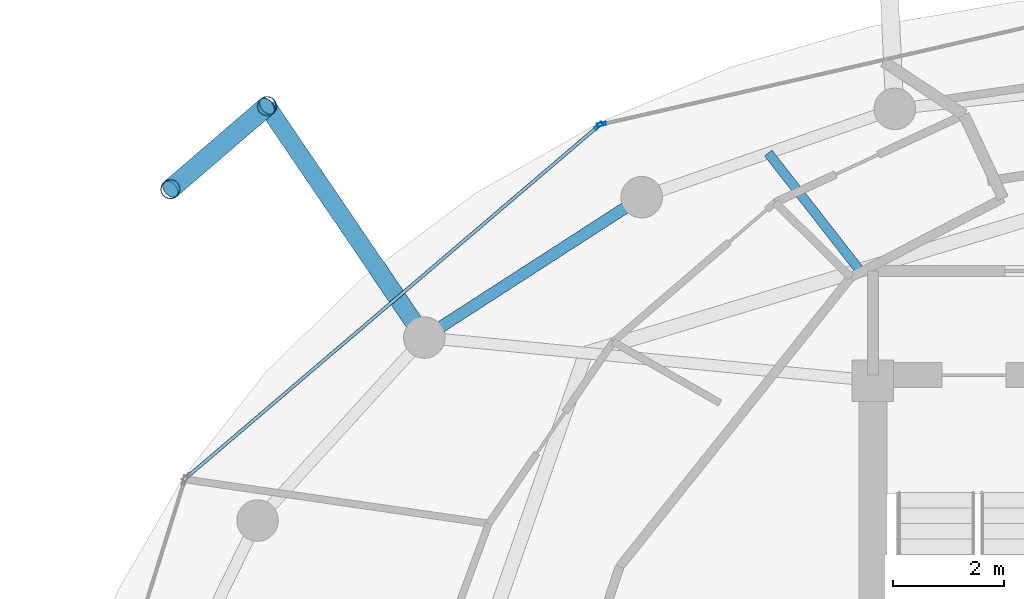
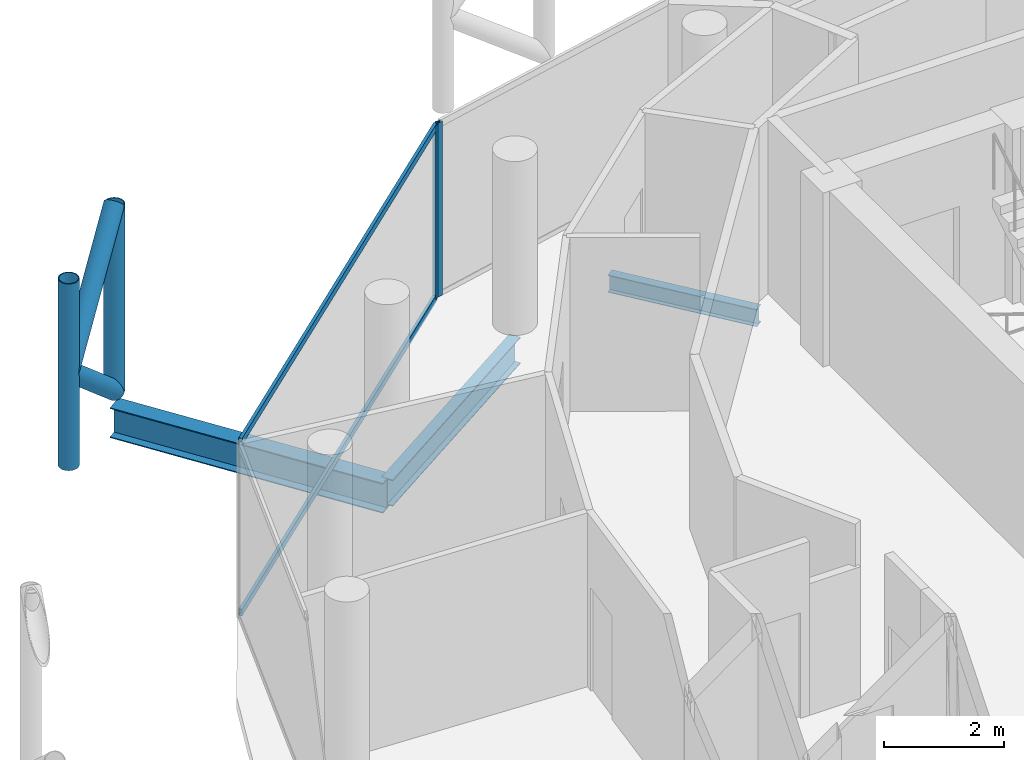
# One storey, part 15 of 24: 8 members, 3 beams, 2 elements without a shape of their own.
"""IFC4 building model written with IfcOpenShell, lengths in metres."""

import ifcopenshell
import ifcopenshell.guid

model = None  # the IFC model being written
_history = None  # IfcOwnerHistory: only IFC2X3 demands one
_inside = {}  # id of a spatial element -> (the spatial element, [elements in it])
_under = {}  # id of a project, library or spatial element -> (it, [spatial elements below it])
_declared = {}  # id of a project -> (the project, [libraries it declares])
_typed = {}  # id of a type object -> (the type object, [elements of that type])
_made_of = {}  # id of a material, layer set ... -> (it, [elements and type objects made of it])


def new_model(schema):
    """Start an empty IFC model of exactly this schema.

    Asked for "IFC4X3", IfcOpenShell would pick the latest addendum, in which some entities
    have other attributes; the version numbers below select the first issue.
    IFC2X3 requires an IfcOwnerHistory on every rooted entity: one is made here for all.
    """
    global model, _history
    if schema == "IFC4X3":
        model = ifcopenshell.file(schema_version=(4, 3, 0, 0))
    else:
        model = ifcopenshell.file(schema=schema)
    _inside.clear()
    _under.clear()
    _declared.clear()
    _typed.clear()
    _made_of.clear()
    _history = None
    if model.schema == "IFC2X3":
        org = make("IfcOrganization", Name="unknown")
        user = make(
            "IfcPersonAndOrganization",
            ThePerson=make("IfcPerson", FamilyName="unknown"),
            TheOrganization=org,
        )
        app = make(
            "IfcApplication",
            ApplicationDeveloper=org,
            Version="unknown",
            ApplicationFullName="unknown",
            ApplicationIdentifier="unknown",
        )
        _history = make(
            "IfcOwnerHistory",
            OwningUser=user,
            OwningApplication=app,
            ChangeAction="ADDED",
            CreationDate=0,
        )
    return model


def make(cls, **values):
    """One entity of the class cls with the attributes given. An attribute that is None is left unset."""
    return model.create_entity(
        cls, **{name: value for name, value in values.items() if value is not None}
    )


def rooted(cls, **values):
    """An entity with a GlobalId (a new one), such as an element, a storey or a relation."""
    return make(cls, GlobalId=ifcopenshell.guid.new(), OwnerHistory=_history, **values)


def si_unit(unit_type, name, prefix=None):
    """IfcSIUnit, for example si_unit("LENGTHUNIT", "METRE", prefix="MILLI")."""
    return make("IfcSIUnit", UnitType=unit_type, Prefix=prefix, Name=name)


def assignment(units):
    """IfcUnitAssignment: the units of a project."""
    return None if units is None else make("IfcUnitAssignment", Units=units)


def point(xyz):
    """IfcCartesianPoint."""
    return None if xyz is None else make("IfcCartesianPoint", Coordinates=xyz)


def direction(xyz):
    """IfcDirection."""
    return None if xyz is None else make("IfcDirection", DirectionRatios=xyz)


def frame(location, z_axis=None, x_axis=None):
    """IfcAxis2Placement3D, a coordinate frame: its origin and axes. An axis left out is left unset."""
    return make(
        "IfcAxis2Placement3D",
        Location=point(location),
        Axis=direction(z_axis),
        RefDirection=direction(x_axis),
    )


def frame_2d(location, x_axis=None):
    """IfcAxis2Placement2D, a coordinate frame in the plane: its origin and x axis."""
    return make(
        "IfcAxis2Placement2D", Location=point(location), RefDirection=direction(x_axis)
    )


def origin():
    """The frame at (0, 0, 0) with its axes left unset."""
    return frame((0.0, 0.0, 0.0))


def origin_2d():
    """The frame at (0, 0) in the plane with its x axis left unset."""
    return frame_2d((0.0, 0.0))


def place(relative_to, where):
    """IfcLocalPlacement: puts the frame where relative to a parent placement (None: the world)."""
    return make(
        "IfcLocalPlacement", PlacementRelTo=relative_to, RelativePlacement=where
    )


def context(
    kind, dimensions, precision=None, world=None, true_north=None, identifier=None
):
    """IfcGeometricRepresentationContext, for example the 3D "Model" context."""
    return make(
        "IfcGeometricRepresentationContext",
        ContextIdentifier=identifier,
        ContextType=kind,
        CoordinateSpaceDimension=dimensions,
        Precision=precision,
        WorldCoordinateSystem=world,
        TrueNorth=true_north,
    )


def subcontext(parent, identifier, kind, view, scale=None):
    """IfcGeometricRepresentationSubContext, for example "Body" below "Model"."""
    return make(
        "IfcGeometricRepresentationSubContext",
        ContextIdentifier=identifier,
        ContextType=kind,
        ParentContext=parent,
        TargetScale=scale,
        TargetView=view,
    )


def project(units=None, contexts=None):
    """IfcProject with its units and contexts."""
    return rooted(
        "IfcProject",
        Name="project",
        RepresentationContexts=contexts,
        UnitsInContext=assignment(units),
    )


def spatial(cls, under=None, at=None, **own):
    """A site, building, storey or space (cls), placed at a placement, below another one or the project."""
    s = rooted(cls, ObjectPlacement=at, **own)
    if under is not None:
        _under.setdefault(under.id(), (under, []))[1].append(s)
    return s


def profile(cls, at=None, kind="AREA", **sizes):
    """A parametric profile (cls). Its sizes go by their IFC names, for example OverallWidth=200.0."""
    return make(cls, ProfileType=kind, Position=at, **sizes)


def hollow_rectangle(**sizes):
    """IfcRectangleHollowProfileDef."""
    return profile("IfcRectangleHollowProfileDef", **sizes)


def hollow_circle(**sizes):
    """IfcCircleHollowProfileDef."""
    return profile("IfcCircleHollowProfileDef", **sizes)


def i_section(**sizes):
    """IfcIShapeProfileDef."""
    return profile("IfcIShapeProfileDef", **sizes)


def extrude(swept, where, along, depth):
    """IfcExtrudedAreaSolid: the profile swept, set in the frame where, extruded along a direction by depth."""
    return make(
        "IfcExtrudedAreaSolid",
        SweptArea=swept,
        Position=where,
        ExtrudedDirection=direction(along),
        Depth=depth,
    )


def shape(context_of_items, identifier, shape_type, items):
    """IfcShapeRepresentation: the items that make up one representation, for example the "Body"."""
    return make(
        "IfcShapeRepresentation",
        ContextOfItems=context_of_items,
        RepresentationIdentifier=identifier,
        RepresentationType=shape_type,
        Items=items,
    )


def material(Name=None, Category=None):
    """IfcMaterial."""
    return make("IfcMaterial", Name=Name, Category=Category)


def layer(
    of_material, thickness, ventilated=None, Name=None, Category=None, Priority=None
):
    """IfcMaterialLayer: one layer of a wall or slab, of a material (None: an air gap)."""
    return make(
        "IfcMaterialLayer",
        Material=of_material,
        LayerThickness=thickness,
        IsVentilated=ventilated,
        Name=Name,
        Category=Category,
        Priority=Priority,
    )


def layer_set(layers, Name=None):
    """IfcMaterialLayerSet."""
    return make("IfcMaterialLayerSet", MaterialLayers=layers, LayerSetName=Name)


def material_profile(
    of_material, cross_section, Name=None, Category=None, Priority=None
):
    """IfcMaterialProfile: a cross section and its material."""
    return make(
        "IfcMaterialProfile",
        Name=Name,
        Material=of_material,
        Profile=cross_section,
        Priority=Priority,
        Category=Category,
    )


def profile_set(profiles, Name=None, composite=None):
    """IfcMaterialProfileSet."""
    return make(
        "IfcMaterialProfileSet",
        Name=Name,
        MaterialProfiles=profiles,
        CompositeProfile=composite,
    )


def made_of(thing, what):
    """Note that an element or type object is made of a material, layer set ...; save() writes the relation."""
    if what is not None:
        _made_of.setdefault(what.id(), (what, []))[1].append(thing)
    return thing


def type_object(cls, material=None, **own):
    """A type object (cls), such as IfcWallType, which elements share."""
    return made_of(rooted(cls, **own), material)


def element(
    cls,
    number,
    at=None,
    inside=None,
    cuts=None,
    type_object=None,
    material=None,
    context=None,
    identifier="Body",
    shape_type=None,
    held_by="IfcProductDefinitionShape",
    body=None,
    shapes=None,
    **own,
):
    """One element of the class cls, such as IfcWall. Its Tag is "e" and its number.

    at: its placement. inside: the storey or other place that contains it. cuts: it is an
    opening in that element (IfcRelVoidsElement). A single representation is given by context,
    identifier, shape_type and body (its items); several are given by shapes. held_by: the class
    of the entity that holds the representations. save() writes the other relations.
    """
    e = rooted(cls, Tag="e%d" % number, ObjectPlacement=at, **own)
    if body is not None:
        shapes = [shape(context, identifier, shape_type, body)]
    if shapes is not None:
        e.Representation = make(held_by, Representations=shapes)
    if inside is not None:
        _inside.setdefault(inside.id(), (inside, []))[1].append(e)
    if cuts is not None:
        rooted(
            "IfcRelVoidsElement", RelatingBuildingElement=cuts, RelatedOpeningElement=e
        )
    if type_object is not None:
        _typed.setdefault(type_object.id(), (type_object, []))[1].append(e)
    return made_of(e, material)


def aggregate(whole, parts):
    """IfcRelAggregates: a whole, such as a stair, and the parts it consists of."""
    return rooted("IfcRelAggregates", RelatingObject=whole, RelatedObjects=parts)


def save(model, path):
    """Write the relations noted so far, then the file.

    IfcRelAggregates (storeys below a building ...), IfcRelContainedInSpatialStructure (elements
    in a storey), IfcRelDefinesByType, IfcRelAssociatesMaterial and IfcRelDeclares: one each for
    every whole, place, type object, material and project.
    """
    for whole, parts in _under.values():
        aggregate(whole, parts)
    for where, things in _inside.values():
        rooted(
            "IfcRelContainedInSpatialStructure",
            RelatedElements=things,
            RelatingStructure=where,
        )
    for kind, things in _typed.values():
        rooted("IfcRelDefinesByType", RelatedObjects=things, RelatingType=kind)
    for what, things in _made_of.values():
        rooted("IfcRelAssociatesMaterial", RelatedObjects=things, RelatingMaterial=what)
    for by, libraries in _declared.values():
        rooted("IfcRelDeclares", RelatingContext=by, RelatedDefinitions=libraries)
    model.write(path)


model = new_model("IFC4")

# Units and contexts
model_context = context("Model", 3, precision=1e-05, world=origin(), true_north=direction((0.0, 1.0)))
body_context = subcontext(model_context, "Body", "Model", "MODEL_VIEW")
ifc_project = project(units=[si_unit("LENGTHUNIT", "METRE"), si_unit("AREAUNIT", "SQUARE_METRE"), si_unit("VOLUMEUNIT", "CUBIC_METRE"), si_unit("PLANEANGLEUNIT", "RADIAN"), si_unit("MASSUNIT", "GRAM", prefix="KILO")], contexts=[model_context])

# Site, building, storey
site_placement = place(None, origin())
site = spatial("IfcSite", under=ifc_project, at=site_placement, CompositionType="ELEMENT")
building_placement = place(site_placement, origin())
building = spatial("IfcBuilding", under=site, at=building_placement, Name="Nuhasar Tower", CompositionType="ELEMENT")
storey_placement = place(building_placement, frame((0.0, 0.0, 259.39990234375)))
storey = spatial("IfcBuildingStorey", under=building, at=storey_placement, Name="L64", CompositionType="ELEMENT", Elevation=259.39990234375)

# Beams
ifc_material_1 = material(Name="Steel S355", Category="steel")
ifc_material_profile_1 = material_profile(ifc_material_1, i_section(OverallWidth=0.1708984375, OverallDepth=0.35205078125, WebThickness=0.0068359375, FlangeThickness=0.009765625, at=origin_2d()), Name="W14X30")
ifc_profile_set_1 = profile_set([ifc_material_profile_1], Name="Steel S355")
beam_type_1 = type_object("IfcBeamType", Name="BM-JST-W14X30", PredefinedType="JOIST", material=ifc_profile_set_1)
beam_1_placement = place(storey_placement, frame((33.4609375, 39.29296875, -0.435791015625), z_axis=(-0.614953767351, 0.788563164256, 0.0), x_axis=(-0.788563164256, -0.614953767351, 0.0)))
element("IfcBeam", 1, at=beam_1_placement, inside=storey, type_object=beam_type_1, Name="L64 Secondary Floor Joist 06", PredefinedType="JOIST", context=body_context, shape_type="SweptSolid", body=[
    extrude(i_section(OverallWidth=0.1708984375, OverallDepth=0.35205078125, WebThickness=0.0068359375, FlangeThickness=0.009765625, at=origin_2d()), origin(), (0.0, 0.0, 1.0), 2.6845703125),
])
ifc_material_profile_2 = material_profile(ifc_material_1, i_section(OverallWidth=0.2099609375, OverallDepth=0.537109375, WebThickness=0.010986328125, FlangeThickness=0.017333984375, at=origin_2d()), Name="W21X68")
ifc_profile_set_2 = profile_set([ifc_material_profile_2], Name="Steel S355")
beam_type_2 = type_object("IfcBeamType", Name="BM-RING-W21X68", PredefinedType="SPANDREL", material=ifc_profile_set_2)
beam_2_placement = place(storey_placement, frame((29.52490234375, 40.613037109375, -0.52880859375), z_axis=(-0.840001671147, -0.54258381147, 0.0), x_axis=(0.54258381147, -0.840001671147, 0.0)))
element("IfcBeam", 2, at=beam_2_placement, inside=storey, type_object=beam_type_2, Name="L64 Perimeter Ring Spandrel 09", PredefinedType="SPANDREL", context=body_context, shape_type="SweptSolid", body=[
    extrude(i_section(OverallWidth=0.2099609375, OverallDepth=0.537109375, WebThickness=0.010986328125, FlangeThickness=0.017333984375, at=origin_2d()), origin(), (0.0, 0.0, 1.0), 4.67236328125),
])
ifc_material_profile_3 = material_profile(ifc_material_1, i_section(OverallWidth=0.323974609375, OverallDepth=0.611083984375, WebThickness=0.0126953125, FlangeThickness=0.01904296875, at=origin_2d()), Name="W24X104")
ifc_profile_set_3 = profile_set([ifc_material_profile_3], Name="Steel S355")
beam_type_3 = type_object("IfcBeamType", Name="BM-TIE-W24X104", PredefinedType="BEAM", material=ifc_profile_set_3)
beam_3_placement = place(storey_placement, frame((25.60009765625, 38.077880859375, -0.56591796875), z_axis=(-0.562070792096, 0.827089127405, 0.0), x_axis=(-0.827089127405, -0.562070792096, 0.0)))
element("IfcBeam", 3, at=beam_3_placement, inside=storey, type_object=beam_type_3, Name="L64 Exoskeleton Node Tie Beam 05", PredefinedType="BEAM", context=body_context, shape_type="SweptSolid", body=[
    extrude(i_section(OverallWidth=0.323974609375, OverallDepth=0.611083984375, WebThickness=0.0126953125, FlangeThickness=0.01904296875, at=origin_2d()), origin(), (0.0, 0.0, 1.0), 5.052978515625),
])

# Curtain wall, member
ifc_material_2 = material(Name="Aluminium 6063-T6", Category="aluminium")
ifc_layer = layer(ifc_material_2, 0.18994140625)
ifc_layer_set = layer_set([ifc_layer], Name="Aluminium 6063-T6")
curtain_wall_type = type_object("IfcCurtainWallType", Name="CW-Z4-PEN", PredefinedType="NOTDEFINED", material=ifc_layer_set)
curtain_wall_1_placement = place(storey_placement, origin())
curtain_wall_1 = element("IfcCurtainWall", 4, at=curtain_wall_1_placement, inside=storey, type_object=curtain_wall_type, Name="L64 Unitised Curtain Wall 04", PredefinedType="NOTDEFINED")
ifc_material_profile_4 = material_profile(ifc_material_2, hollow_rectangle(XDim=0.06005859375, YDim=0.1650390625, WallThickness=0.0048828125, at=origin_2d()), Name="CWM-5")
ifc_profile_set_4 = profile_set([ifc_material_profile_4], Name="Aluminium 6063-T6")
member_type_1 = type_object("IfcMemberType", Name="CW-MUL-S5", PredefinedType="MULLION", material=ifc_profile_set_4)
member_1_placement = place(storey_placement, frame((28.79931640625, 41.927734375, 0.0), z_axis=(0.0, 0.0, 1.0), x_axis=(0.222889487645, -0.97484371891, 0.0)))
member_1 = element("IfcMember", 5, at=member_1_placement, type_object=member_type_1, Name="CW-Z4 mullion 2", PredefinedType="MULLION", context=body_context, shape_type="SweptSolid", body=[
    extrude(hollow_rectangle(XDim=0.06005859375, YDim=0.1650390625, WallThickness=0.0048828125, at=origin_2d()), origin(), (0.0, 0.0, 1.0), 3.5400390625),
])
aggregate(curtain_wall_1, [member_1])

# Curtain wall, members
curtain_wall_2_placement = place(storey_placement, origin())
curtain_wall_2 = element("IfcCurtainWall", 6, at=curtain_wall_2_placement, inside=storey, type_object=curtain_wall_type, Name="L64 Unitised Curtain Wall 05", PredefinedType="NOTDEFINED")
member_2_placement = place(storey_placement, frame((28.7470703125, 41.901611328125, 0.0), z_axis=(0.0, 0.0, 1.0), x_axis=(0.649141996205, -0.760667252327, 0.0)))
member_2 = element("IfcMember", 7, at=member_2_placement, type_object=member_type_1, Name="CW-Z4 mullion 1", PredefinedType="MULLION", context=body_context, shape_type="SweptSolid", body=[
    extrude(hollow_rectangle(XDim=0.06005859375, YDim=0.1650390625, WallThickness=0.0048828125, at=origin_2d()), origin(), (0.0, 0.0, 1.0), 3.5400390625),
])
ifc_material_profile_5 = material_profile(ifc_material_2, hollow_rectangle(XDim=0.06005859375, YDim=0.135009765625, WallThickness=0.00439453125, at=origin_2d()), Name="CWT-5")
ifc_profile_set_5 = profile_set([ifc_material_profile_5], Name="Aluminium 6063-T6")
member_type_2 = type_object("IfcMemberType", Name="CW-TRN-S5", PredefinedType="USERDEFINED", material=ifc_profile_set_5)
member_3_placement = place(storey_placement, frame((28.724365234375, 41.882080078125, 0.030029296875), z_axis=(-0.760660035709, -0.649150452573, 0.0), x_axis=(0.649150452573, -0.760660035709, 0.0)))
member_3 = element("IfcMember", 8, at=member_3_placement, type_object=member_type_2, Name="CW-Z4 transom 1.1", ObjectType="TRANSOM", PredefinedType="USERDEFINED", context=body_context, shape_type="SweptSolid", body=[
    extrude(hollow_rectangle(XDim=0.06005859375, YDim=0.135009765625, WallThickness=0.00439453125, at=origin_2d()), origin(), (0.0, 0.0, 1.0), 9.725341796875),
])
member_4_placement = place(storey_placement, frame((28.724365234375, 41.882080078125, 3.510009765625), z_axis=(-0.760660035709, -0.649150452573, 0.0), x_axis=(0.649150452573, -0.760660035709, 0.0)))
member_4 = element("IfcMember", 9, at=member_4_placement, type_object=member_type_2, Name="CW-Z4 transom 1.2", ObjectType="TRANSOM", PredefinedType="USERDEFINED", context=body_context, shape_type="SweptSolid", body=[
    extrude(hollow_rectangle(XDim=0.06005859375, YDim=0.135009765625, WallThickness=0.00439453125, at=origin_2d()), origin(), (0.0, 0.0, 1.0), 9.725341796875),
])
aggregate(curtain_wall_2, [member_2, member_3, member_4])

# Members
ifc_material_3 = material(Name="Steel S460", Category="steel")
ifc_material_profile_6 = material_profile(ifc_material_3, hollow_circle(Radius=0.177734375, WallThickness=0.015869140625, at=origin_2d()), Name="HSS355.6X15.9")
ifc_profile_set_6 = profile_set([ifc_material_profile_6], Name="Steel S460")
member_type_3 = type_object("IfcMemberType", Name="EXO-BRONZE-356", PredefinedType="BRACE", material=ifc_profile_set_6)
for number, where, z_axis, x_axis, name in (
    (10, (22.760009765625, 42.257080078125, 0.0), (0.0, 0.0, 1.0), (1.0, 0.0, 0.0), "L64 Exoskeleton Chord Column EC-05A"),
    (11, (21.01611328125, 40.758056640625, 0.0), (0.0, 0.0, 1.0), (1.0, 0.0, 0.0), "L64 Exoskeleton Chord Column EC-05B"),
):
    element("IfcMember", number, at=place(storey_placement, frame(where, z_axis=z_axis, x_axis=x_axis)), inside=storey, type_object=member_type_3, Name=name, PredefinedType="BRACE", context=body_context, shape_type="SweptSolid", body=[
        extrude(hollow_circle(Radius=0.177734375, WallThickness=0.015869140625, at=origin_2d()), origin(), (0.0, 0.0, 1.0), 3.800048828125),
    ])
member_5_placement = place(storey_placement, frame((22.760009765625, 42.257080078125, 0.0), z_axis=(-0.584594747408, -0.50250759472, 0.636973389203), x_axis=(0.65185738425, -0.758341579104, 0.0)))
element("IfcMember", 12, at=member_5_placement, inside=storey, type_object=member_type_3, Name="L64 Bronze Diagrid Brace W1-05", PredefinedType="BRACE", context=body_context, shape_type="SweptSolid", body=[
    extrude(hollow_circle(Radius=0.177734375, WallThickness=0.015869140625, at=origin_2d()), origin(), (0.0, 0.0, 1.0), 2.983154296875),
])
member_6_placement = place(storey_placement, frame((21.01611328125, 40.758056640625, 1.900146484375), z_axis=(0.584625223306, 0.502533791278, 0.636924749792), x_axis=(-0.65185738425, 0.758341579104, 0.0)))
element("IfcMember", 13, at=member_6_placement, inside=storey, type_object=member_type_3, Name="L64 Bronze Diagrid Brace W2-05", PredefinedType="BRACE", context=body_context, shape_type="SweptSolid", body=[
    extrude(hollow_circle(Radius=0.177734375, WallThickness=0.015869140625, at=origin_2d()), origin(), (0.0, 0.0, 1.0), 2.98291015625),
])

save(model, "model.ifc")
